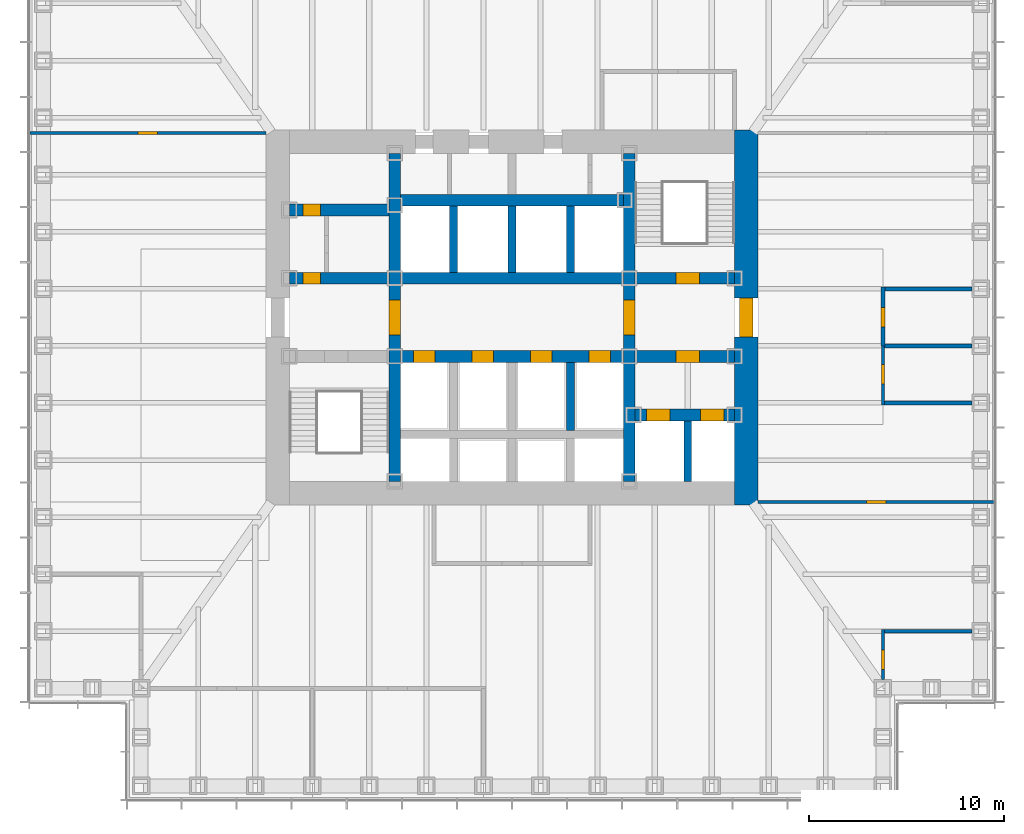
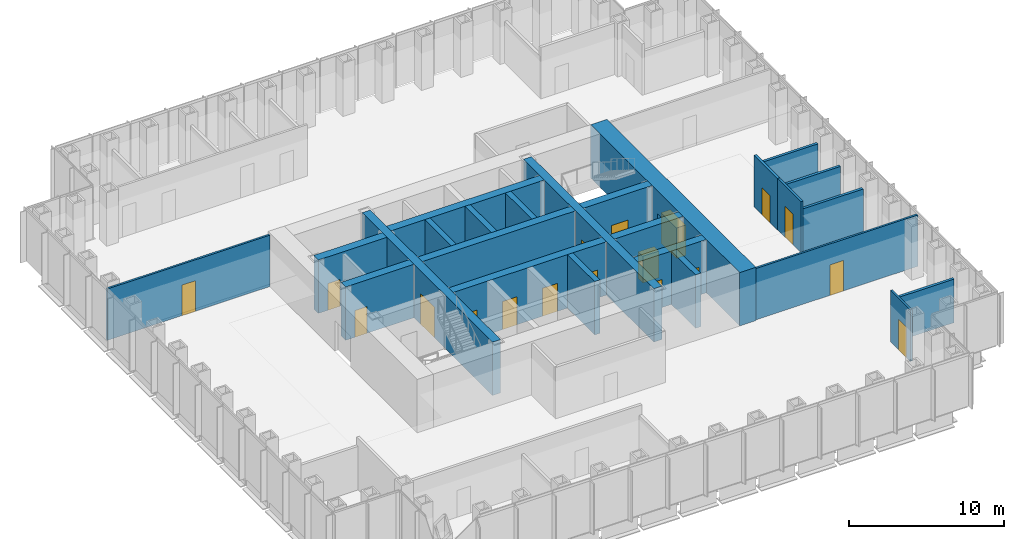
# One storey, part 9 of 16: 25 walls, 18 doors, 18 openings.
"""IFC4 building model written with IfcOpenShell, lengths in metres."""

import ifcopenshell
import ifcopenshell.guid

model = None  # the IFC model being written
_history = None  # IfcOwnerHistory: only IFC2X3 demands one
_inside = {}  # id of a spatial element -> (the spatial element, [elements in it])
_under = {}  # id of a project, library or spatial element -> (it, [spatial elements below it])
_declared = {}  # id of a project -> (the project, [libraries it declares])
_typed = {}  # id of a type object -> (the type object, [elements of that type])
_made_of = {}  # id of a material, layer set ... -> (it, [elements and type objects made of it])


def new_model(schema):
    """Start an empty IFC model of exactly this schema.

    Asked for "IFC4X3", IfcOpenShell would pick the latest addendum, in which some entities
    have other attributes; the version numbers below select the first issue.
    IFC2X3 requires an IfcOwnerHistory on every rooted entity: one is made here for all.
    """
    global model, _history
    if schema == "IFC4X3":
        model = ifcopenshell.file(schema_version=(4, 3, 0, 0))
    else:
        model = ifcopenshell.file(schema=schema)
    _inside.clear()
    _under.clear()
    _declared.clear()
    _typed.clear()
    _made_of.clear()
    _history = None
    if model.schema == "IFC2X3":
        org = make("IfcOrganization", Name="unknown")
        user = make(
            "IfcPersonAndOrganization",
            ThePerson=make("IfcPerson", FamilyName="unknown"),
            TheOrganization=org,
        )
        app = make(
            "IfcApplication",
            ApplicationDeveloper=org,
            Version="unknown",
            ApplicationFullName="unknown",
            ApplicationIdentifier="unknown",
        )
        _history = make(
            "IfcOwnerHistory",
            OwningUser=user,
            OwningApplication=app,
            ChangeAction="ADDED",
            CreationDate=0,
        )
    return model


def make(cls, **values):
    """One entity of the class cls with the attributes given. An attribute that is None is left unset."""
    return model.create_entity(
        cls, **{name: value for name, value in values.items() if value is not None}
    )


def rooted(cls, **values):
    """An entity with a GlobalId (a new one), such as an element, a storey or a relation."""
    return make(cls, GlobalId=ifcopenshell.guid.new(), OwnerHistory=_history, **values)


def si_unit(unit_type, name, prefix=None):
    """IfcSIUnit, for example si_unit("LENGTHUNIT", "METRE", prefix="MILLI")."""
    return make("IfcSIUnit", UnitType=unit_type, Prefix=prefix, Name=name)


def assignment(units):
    """IfcUnitAssignment: the units of a project."""
    return None if units is None else make("IfcUnitAssignment", Units=units)


def point(xyz):
    """IfcCartesianPoint."""
    return None if xyz is None else make("IfcCartesianPoint", Coordinates=xyz)


def direction(xyz):
    """IfcDirection."""
    return None if xyz is None else make("IfcDirection", DirectionRatios=xyz)


def frame(location, z_axis=None, x_axis=None):
    """IfcAxis2Placement3D, a coordinate frame: its origin and axes. An axis left out is left unset."""
    return make(
        "IfcAxis2Placement3D",
        Location=point(location),
        Axis=direction(z_axis),
        RefDirection=direction(x_axis),
    )


def frame_2d(location, x_axis=None):
    """IfcAxis2Placement2D, a coordinate frame in the plane: its origin and x axis."""
    return make(
        "IfcAxis2Placement2D", Location=point(location), RefDirection=direction(x_axis)
    )


def origin():
    """The frame at (0, 0, 0) with its axes left unset."""
    return frame((0.0, 0.0, 0.0))


def place(relative_to, where):
    """IfcLocalPlacement: puts the frame where relative to a parent placement (None: the world)."""
    return make(
        "IfcLocalPlacement", PlacementRelTo=relative_to, RelativePlacement=where
    )


def context(
    kind, dimensions, precision=None, world=None, true_north=None, identifier=None
):
    """IfcGeometricRepresentationContext, for example the 3D "Model" context."""
    return make(
        "IfcGeometricRepresentationContext",
        ContextIdentifier=identifier,
        ContextType=kind,
        CoordinateSpaceDimension=dimensions,
        Precision=precision,
        WorldCoordinateSystem=world,
        TrueNorth=true_north,
    )


def subcontext(parent, identifier, kind, view, scale=None):
    """IfcGeometricRepresentationSubContext, for example "Body" below "Model"."""
    return make(
        "IfcGeometricRepresentationSubContext",
        ContextIdentifier=identifier,
        ContextType=kind,
        ParentContext=parent,
        TargetScale=scale,
        TargetView=view,
    )


def project(units=None, contexts=None):
    """IfcProject with its units and contexts."""
    return rooted(
        "IfcProject",
        Name="project",
        RepresentationContexts=contexts,
        UnitsInContext=assignment(units),
    )


def spatial(cls, under=None, at=None, **own):
    """A site, building, storey or space (cls), placed at a placement, below another one or the project."""
    s = rooted(cls, ObjectPlacement=at, **own)
    if under is not None:
        _under.setdefault(under.id(), (under, []))[1].append(s)
    return s


def profile(cls, at=None, kind="AREA", **sizes):
    """A parametric profile (cls). Its sizes go by their IFC names, for example OverallWidth=200.0."""
    return make(cls, ProfileType=kind, Position=at, **sizes)


def rectangle(**sizes):
    """IfcRectangleProfileDef."""
    return profile("IfcRectangleProfileDef", **sizes)


def extrude(swept, where, along, depth):
    """IfcExtrudedAreaSolid: the profile swept, set in the frame where, extruded along a direction by depth."""
    return make(
        "IfcExtrudedAreaSolid",
        SweptArea=swept,
        Position=where,
        ExtrudedDirection=direction(along),
        Depth=depth,
    )


def shape(context_of_items, identifier, shape_type, items):
    """IfcShapeRepresentation: the items that make up one representation, for example the "Body"."""
    return make(
        "IfcShapeRepresentation",
        ContextOfItems=context_of_items,
        RepresentationIdentifier=identifier,
        RepresentationType=shape_type,
        Items=items,
    )


def material(Name=None, Category=None):
    """IfcMaterial."""
    return make("IfcMaterial", Name=Name, Category=Category)


def layer(
    of_material, thickness, ventilated=None, Name=None, Category=None, Priority=None
):
    """IfcMaterialLayer: one layer of a wall or slab, of a material (None: an air gap)."""
    return make(
        "IfcMaterialLayer",
        Material=of_material,
        LayerThickness=thickness,
        IsVentilated=ventilated,
        Name=Name,
        Category=Category,
        Priority=Priority,
    )


def layer_set(layers, Name=None):
    """IfcMaterialLayerSet."""
    return make("IfcMaterialLayerSet", MaterialLayers=layers, LayerSetName=Name)


def made_of(thing, what):
    """Note that an element or type object is made of a material, layer set ...; save() writes the relation."""
    if what is not None:
        _made_of.setdefault(what.id(), (what, []))[1].append(thing)
    return thing


def type_object(cls, material=None, **own):
    """A type object (cls), such as IfcWallType, which elements share."""
    return made_of(rooted(cls, **own), material)


def element(
    cls,
    number,
    at=None,
    inside=None,
    cuts=None,
    type_object=None,
    material=None,
    context=None,
    identifier="Body",
    shape_type=None,
    held_by="IfcProductDefinitionShape",
    body=None,
    shapes=None,
    **own,
):
    """One element of the class cls, such as IfcWall. Its Tag is "e" and its number.

    at: its placement. inside: the storey or other place that contains it. cuts: it is an
    opening in that element (IfcRelVoidsElement). A single representation is given by context,
    identifier, shape_type and body (its items); several are given by shapes. held_by: the class
    of the entity that holds the representations. save() writes the other relations.
    """
    e = rooted(cls, Tag="e%d" % number, ObjectPlacement=at, **own)
    if body is not None:
        shapes = [shape(context, identifier, shape_type, body)]
    if shapes is not None:
        e.Representation = make(held_by, Representations=shapes)
    if inside is not None:
        _inside.setdefault(inside.id(), (inside, []))[1].append(e)
    if cuts is not None:
        rooted(
            "IfcRelVoidsElement", RelatingBuildingElement=cuts, RelatedOpeningElement=e
        )
    if type_object is not None:
        _typed.setdefault(type_object.id(), (type_object, []))[1].append(e)
    return made_of(e, material)


def fill(opening, filler):
    """IfcRelFillsElement: the door or window that sits in an opening."""
    return rooted(
        "IfcRelFillsElement",
        RelatingOpeningElement=opening,
        RelatedBuildingElement=filler,
    )


def aggregate(whole, parts):
    """IfcRelAggregates: a whole, such as a stair, and the parts it consists of."""
    return rooted("IfcRelAggregates", RelatingObject=whole, RelatedObjects=parts)


def save(model, path):
    """Write the relations noted so far, then the file.

    IfcRelAggregates (storeys below a building ...), IfcRelContainedInSpatialStructure (elements
    in a storey), IfcRelDefinesByType, IfcRelAssociatesMaterial and IfcRelDeclares: one each for
    every whole, place, type object, material and project.
    """
    for whole, parts in _under.values():
        aggregate(whole, parts)
    for where, things in _inside.values():
        rooted(
            "IfcRelContainedInSpatialStructure",
            RelatedElements=things,
            RelatingStructure=where,
        )
    for kind, things in _typed.values():
        rooted("IfcRelDefinesByType", RelatedObjects=things, RelatingType=kind)
    for what, things in _made_of.values():
        rooted("IfcRelAssociatesMaterial", RelatedObjects=things, RelatingMaterial=what)
    for by, libraries in _declared.values():
        rooted("IfcRelDeclares", RelatingContext=by, RelatedDefinitions=libraries)
    model.write(path)


model = new_model("IFC4")

# Units and contexts
model_context = context("Model", 3, precision=1e-05, world=origin(), true_north=direction((0.0, 1.0)))
body_context = subcontext(model_context, "Body", "Model", "MODEL_VIEW")
ifc_project = project(units=[si_unit("LENGTHUNIT", "METRE"), si_unit("AREAUNIT", "SQUARE_METRE"), si_unit("VOLUMEUNIT", "CUBIC_METRE"), si_unit("PLANEANGLEUNIT", "RADIAN"), si_unit("MASSUNIT", "GRAM", prefix="KILO")], contexts=[model_context])

# Site, building, storey
site_placement = place(None, origin())
site = spatial("IfcSite", under=ifc_project, at=site_placement, CompositionType="ELEMENT")
building_placement = place(site_placement, origin())
building = spatial("IfcBuilding", under=site, at=building_placement, Name="Daluyong Arena Tower", CompositionType="ELEMENT")
storey_placement = place(building_placement, frame((0.0, 0.0, 68.5)))
storey = spatial("IfcBuildingStorey", under=building, at=storey_placement, Name="L14", CompositionType="ELEMENT", Elevation=68.5)

# Wall, opening, door
ifc_material_1 = material(Name="Concrete fc' 60 MPa", Category="concrete")
ifc_layer_1 = layer(ifc_material_1, 0.60009765625)
ifc_layer_set_1 = layer_set([ifc_layer_1], Name="Concrete fc' 60 MPa")
wall_type_1 = type_object("IfcWallType", Name="Core inner wall 600", PredefinedType="SHEAR", material=ifc_layer_set_1)
wall_1_placement = place(storey_placement, frame((50.0, 71.60009765625, 0.0), z_axis=(0.0, 0.0, 1.0), x_axis=(0.0, 1.0, 0.0)))
wall_1 = element("IfcWall", 1, at=wall_1_placement, inside=storey, type_object=wall_type_1, Name="core inner wall at L14", PredefinedType="SHEAR", context=body_context, shape_type="SweptSolid", body=[
    extrude(rectangle(XDim=16.7998046875, YDim=0.60009765625, at=frame_2d((8.39990234375, 0.0))), origin(), (0.0, 0.0, 1.0), 4.199951171875),
])
opening_1_placement = place(wall_1_placement, frame((7.5, 0.0, 0.0)))
opening_1 = element("IfcOpeningElement", 2, at=opening_1_placement, cuts=wall_1, Name="Opening 14012", PredefinedType="OPENING", context=body_context, shape_type="SweptSolid", body=[
    extrude(rectangle(XDim=1.800048828125, YDim=2.39990234375, at=frame_2d((0.89990234375, 1.199951171875))), frame((0.0, 0.31005859375, 0.0), z_axis=(0.0, -1.0, 0.0), x_axis=(1.0, 0.0, 0.0)), (0.0, 0.0, 1.0), 0.6201171875),
])
ifc_material_2 = material(Name="Steel door, fire rated", Category="steel")
door_type_1 = type_object("IfcDoorType", Name="Lift lobby opening door 1800", OperationType="DOUBLE_DOOR_SINGLE_SWING", PredefinedType="DOOR", material=ifc_material_2)
door_1_placement = place(opening_1_placement, origin())
door_1 = element("IfcDoor", 3, at=door_1_placement, inside=storey, type_object=door_type_1, Name="lift lobby door west 14012", OperationType="DOUBLE_DOOR_SINGLE_SWING", OverallHeight=2.39990234375, OverallWidth=1.800048828125, PredefinedType="DOOR", context=body_context, shape_type="SweptSolid", body=[
    extrude(rectangle(XDim=1.800048828125, YDim=2.39990234375, at=frame_2d((0.89990234375, 1.199951171875))), frame((0.0, 0.2998046875, 0.0), z_axis=(0.0, -1.0, 0.0), x_axis=(1.0, 0.0, 0.0)), (0.0, 0.0, 1.0), 0.599609375),
])
fill(opening_1, door_1)

wall_2_placement = place(storey_placement, frame((62.0, 71.60009765625, 0.0), z_axis=(0.0, 0.0, 1.0), x_axis=(0.0, 1.0, 0.0)))
wall_2 = element("IfcWall", 4, at=wall_2_placement, inside=storey, type_object=wall_type_1, Name="core inner wall at L14", PredefinedType="SHEAR", context=body_context, shape_type="SweptSolid", body=[
    extrude(rectangle(XDim=16.7998046875, YDim=0.60009765625, at=frame_2d((8.39990234375, 0.0))), origin(), (0.0, 0.0, 1.0), 4.199951171875),
])
opening_2_placement = place(wall_2_placement, frame((7.5, 0.0, 0.0)))
opening_2 = element("IfcOpeningElement", 5, at=opening_2_placement, cuts=wall_2, Name="Opening 14013", PredefinedType="OPENING", context=body_context, shape_type="SweptSolid", body=[
    extrude(rectangle(XDim=1.800048828125, YDim=2.39990234375, at=frame_2d((0.89990234375, 1.199951171875))), frame((0.0, 0.31005859375, 0.0), z_axis=(0.0, -1.0, 0.0), x_axis=(1.0, 0.0, 0.0)), (0.0, 0.0, 1.0), 0.6201171875),
])
door_2_placement = place(opening_2_placement, origin())
door_2 = element("IfcDoor", 6, at=door_2_placement, inside=storey, type_object=door_type_1, Name="lift lobby door east 14013", OperationType="DOUBLE_DOOR_SINGLE_SWING", OverallHeight=2.39990234375, OverallWidth=1.800048828125, PredefinedType="DOOR", context=body_context, shape_type="SweptSolid", body=[
    extrude(rectangle(XDim=1.800048828125, YDim=2.39990234375, at=frame_2d((0.89990234375, 1.199951171875))), frame((0.0, 0.2998046875, 0.0), z_axis=(0.0, -1.0, 0.0), x_axis=(1.0, 0.0, 0.0)), (0.0, 0.0, 1.0), 0.599609375),
])
fill(opening_2, door_2)

wall_3_placement = place(storey_placement, frame((44.60009765625, 82.0, 0.0), z_axis=(0.0, 0.0, 1.0), x_axis=(1.0, 0.0, 0.0)))
wall_3 = element("IfcWall", 7, at=wall_3_placement, inside=storey, type_object=wall_type_1, Name="core inner wall at L14", PredefinedType="SHEAR", context=body_context, shape_type="SweptSolid", body=[
    extrude(rectangle(XDim=5.099853515625, YDim=0.60009765625, at=frame_2d((2.5498046875, 0.0))), origin(), (0.0, 0.0, 1.0), 4.199951171875),
])
opening_3_placement = place(wall_3_placement, frame((0.699951171875, 0.0, 0.0)))
opening_3 = element("IfcOpeningElement", 8, at=opening_3_placement, cuts=wall_3, Name="Opening 14001", PredefinedType="OPENING", context=body_context, shape_type="SweptSolid", body=[
    extrude(rectangle(XDim=0.89990234375, YDim=2.10009765625, at=frame_2d((0.449951171875, 1.050048828125))), frame((0.0, 0.31005859375, 0.0), z_axis=(0.0, -1.0, 0.0), x_axis=(1.0, 0.0, 0.0)), (0.0, 0.0, 1.0), 0.6201171875),
])
ifc_material_3 = material(Name="Steel door, fire rated", Category="steel")
door_type_2 = type_object("IfcDoorType", Name="Core room door 900", OperationType="SINGLE_SWING_LEFT", PredefinedType="DOOR", material=ifc_material_3)
door_3_placement = place(opening_3_placement, origin())
door_3 = element("IfcDoor", 9, at=door_3_placement, inside=storey, type_object=door_type_2, Name="toilet lobby door 14001", OperationType="SINGLE_SWING_LEFT", OverallHeight=2.10009765625, OverallWidth=0.89990234375, PredefinedType="DOOR", context=body_context, shape_type="SweptSolid", body=[
    extrude(rectangle(XDim=0.89990234375, YDim=2.10009765625, at=frame_2d((0.449951171875, 1.050048828125))), frame((0.0, 0.2998046875, 0.0), z_axis=(0.0, -1.0, 0.0), x_axis=(1.0, 0.0, 0.0)), (0.0, 0.0, 1.0), 0.599609375),
])
fill(opening_3, door_3)

wall_4_placement = place(storey_placement, frame((44.60009765625, 85.5, 0.0), z_axis=(0.0, 0.0, 1.0), x_axis=(1.0, 0.0, 0.0)))
wall_4 = element("IfcWall", 10, at=wall_4_placement, inside=storey, type_object=wall_type_1, Name="core inner wall at L14", PredefinedType="SHEAR", context=body_context, shape_type="SweptSolid", body=[
    extrude(rectangle(XDim=5.099853515625, YDim=0.60009765625, at=frame_2d((2.5498046875, 0.0))), origin(), (0.0, 0.0, 1.0), 4.199951171875),
])
opening_4_placement = place(wall_4_placement, frame((0.699951171875, 0.0, 0.0)))
opening_4 = element("IfcOpeningElement", 11, at=opening_4_placement, cuts=wall_4, Name="Opening 14003", PredefinedType="OPENING", context=body_context, shape_type="SweptSolid", body=[
    extrude(rectangle(XDim=0.89990234375, YDim=2.10009765625, at=frame_2d((0.449951171875, 1.050048828125))), frame((0.0, 0.31005859375, 0.0), z_axis=(0.0, -1.0, 0.0), x_axis=(1.0, 0.0, 0.0)), (0.0, 0.0, 1.0), 0.6201171875),
])
ifc_material_4 = material(Name="Timber door", Category="wood")
door_type_3 = type_object("IfcDoorType", Name="Toilet door 900", OperationType="SINGLE_SWING_RIGHT", PredefinedType="DOOR", material=ifc_material_4)
door_4_placement = place(opening_4_placement, origin())
door_4 = element("IfcDoor", 12, at=door_4_placement, inside=storey, type_object=door_type_3, Name="female toilet door 14003", OperationType="SINGLE_SWING_RIGHT", OverallHeight=2.10009765625, OverallWidth=0.89990234375, PredefinedType="DOOR", context=body_context, shape_type="SweptSolid", body=[
    extrude(rectangle(XDim=0.89990234375, YDim=2.10009765625, at=frame_2d((0.449951171875, 1.050048828125))), frame((0.0, 0.2998046875, 0.0), z_axis=(0.0, -1.0, 0.0), x_axis=(1.0, 0.0, 0.0)), (0.0, 0.0, 1.0), 0.599609375),
])
fill(opening_4, door_4)

# Wall, openings, doors
wall_5_placement = place(storey_placement, frame((62.300048828125, 75.0, 0.0), z_axis=(0.0, 0.0, 1.0), x_axis=(1.0, 0.0, 0.0)))
wall_5 = element("IfcWall", 13, at=wall_5_placement, inside=storey, type_object=wall_type_1, Name="core inner wall at L14", PredefinedType="SHEAR", context=body_context, shape_type="SweptSolid", body=[
    extrude(rectangle(XDim=5.099853515625, YDim=0.60009765625, at=frame_2d((2.5498046875, 0.0))), origin(), (0.0, 0.0, 1.0), 4.199951171875),
])
opening_5_placement = place(wall_5_placement, frame((0.60009765625, 0.0, 0.0)))
opening_5 = element("IfcOpeningElement", 14, at=opening_5_placement, cuts=wall_5, Name="Opening 14019", PredefinedType="OPENING", context=body_context, shape_type="SweptSolid", body=[
    extrude(rectangle(XDim=1.199951171875, YDim=2.199951171875, at=frame_2d((0.60009765625, 1.10009765625))), frame((0.0, 0.31005859375, 0.0), z_axis=(0.0, -1.0, 0.0), x_axis=(1.0, 0.0, 0.0)), (0.0, 0.0, 1.0), 0.6201171875),
])
opening_6_placement = place(wall_5_placement, frame((3.35009765625, 0.0, 0.0)))
opening_6 = element("IfcOpeningElement", 15, at=opening_6_placement, cuts=wall_5, Name="Opening 14020", PredefinedType="OPENING", context=body_context, shape_type="SweptSolid", body=[
    extrude(rectangle(XDim=1.199951171875, YDim=2.199951171875, at=frame_2d((0.60009765625, 1.10009765625))), frame((0.0, 0.31005859375, 0.0), z_axis=(0.0, -1.0, 0.0), x_axis=(1.0, 0.0, 0.0)), (0.0, 0.0, 1.0), 0.6201171875),
])
ifc_material_5 = material(Name="Steel door, fire rated", Category="steel")
door_type_4 = type_object("IfcDoorType", Name="Firefighting lift landing door 1200", OperationType="SLIDING_TO_LEFT", PredefinedType="DOOR", material=ifc_material_5)
door_5_placement = place(opening_5_placement, origin())
door_5 = element("IfcDoor", 16, at=door_5_placement, inside=storey, type_object=door_type_4, Name="firefighting lift landing door F1 14019", OperationType="SLIDING_TO_LEFT", OverallHeight=2.199951171875, OverallWidth=1.199951171875, PredefinedType="DOOR", context=body_context, shape_type="SweptSolid", body=[
    extrude(rectangle(XDim=1.199951171875, YDim=2.199951171875, at=frame_2d((0.60009765625, 1.10009765625))), frame((0.0, 0.2998046875, 0.0), z_axis=(0.0, -1.0, 0.0), x_axis=(1.0, 0.0, 0.0)), (0.0, 0.0, 1.0), 0.599609375),
])
fill(opening_5, door_5)
door_6_placement = place(opening_6_placement, origin())
door_6 = element("IfcDoor", 17, at=door_6_placement, inside=storey, type_object=door_type_4, Name="firefighting lift landing door F2 14020", OperationType="SLIDING_TO_LEFT", OverallHeight=2.199951171875, OverallWidth=1.199951171875, PredefinedType="DOOR", context=body_context, shape_type="SweptSolid", body=[
    extrude(rectangle(XDim=1.199951171875, YDim=2.199951171875, at=frame_2d((0.60009765625, 1.10009765625))), frame((0.0, 0.2998046875, 0.0), z_axis=(0.0, -1.0, 0.0), x_axis=(1.0, 0.0, 0.0)), (0.0, 0.0, 1.0), 0.599609375),
])
fill(opening_6, door_6)

# Wall, opening, door
wall_6_placement = place(storey_placement, frame((62.300048828125, 78.0, 0.0), z_axis=(0.0, 0.0, 1.0), x_axis=(1.0, 0.0, 0.0)))
wall_6 = element("IfcWall", 18, at=wall_6_placement, inside=storey, type_object=wall_type_1, Name="core inner wall at L14", PredefinedType="SHEAR", context=body_context, shape_type="SweptSolid", body=[
    extrude(rectangle(XDim=5.099853515625, YDim=0.60009765625, at=frame_2d((2.5498046875, 0.0))), origin(), (0.0, 0.0, 1.0), 4.199951171875),
])
opening_7_placement = place(wall_6_placement, frame((2.10009765625, 0.0, 0.0)))
opening_7 = element("IfcOpeningElement", 19, at=opening_7_placement, cuts=wall_6, Name="Opening 14014", PredefinedType="OPENING", context=body_context, shape_type="SweptSolid", body=[
    extrude(rectangle(XDim=1.199951171875, YDim=2.10009765625, at=frame_2d((0.60009765625, 1.050048828125))), frame((0.0, 0.31005859375, 0.0), z_axis=(0.0, -1.0, 0.0), x_axis=(1.0, 0.0, 0.0)), (0.0, 0.0, 1.0), 0.6201171875),
])
ifc_material_6 = material(Name="Steel door, fire rated", Category="steel")
door_type_5 = type_object("IfcDoorType", Name="Firefighting lobby door 1200", OperationType="SINGLE_SWING_RIGHT", PredefinedType="DOOR", material=ifc_material_6)
door_7_placement = place(opening_7_placement, origin())
door_7 = element("IfcDoor", 20, at=door_7_placement, inside=storey, type_object=door_type_5, Name="firefighting lobby door 14014", OperationType="SINGLE_SWING_RIGHT", OverallHeight=2.10009765625, OverallWidth=1.199951171875, PredefinedType="DOOR", context=body_context, shape_type="SweptSolid", body=[
    extrude(rectangle(XDim=1.199951171875, YDim=2.10009765625, at=frame_2d((0.60009765625, 1.050048828125))), frame((0.0, 0.2998046875, 0.0), z_axis=(0.0, -1.0, 0.0), x_axis=(1.0, 0.0, 0.0)), (0.0, 0.0, 1.0), 0.599609375),
])
fill(opening_7, door_7)

wall_7_placement = place(storey_placement, frame((62.300048828125, 82.0, 0.0), z_axis=(0.0, 0.0, 1.0), x_axis=(1.0, 0.0, 0.0)))
wall_7 = element("IfcWall", 21, at=wall_7_placement, inside=storey, type_object=wall_type_1, Name="core inner wall at L14", PredefinedType="SHEAR", context=body_context, shape_type="SweptSolid", body=[
    extrude(rectangle(XDim=5.099853515625, YDim=0.60009765625, at=frame_2d((2.5498046875, 0.0))), origin(), (0.0, 0.0, 1.0), 4.199951171875),
])
opening_8_placement = place(wall_7_placement, frame((2.10009765625, 0.0, 0.0)))
opening_8 = element("IfcOpeningElement", 22, at=opening_8_placement, cuts=wall_7, Name="Opening 14009", PredefinedType="OPENING", context=body_context, shape_type="SweptSolid", body=[
    extrude(rectangle(XDim=1.199951171875, YDim=2.10009765625, at=frame_2d((0.60009765625, 1.050048828125))), frame((0.0, 0.31005859375, 0.0), z_axis=(0.0, -1.0, 0.0), x_axis=(1.0, 0.0, 0.0)), (0.0, 0.0, 1.0), 0.6201171875),
])
ifc_material_7 = material(Name="Steel door, fire rated", Category="steel")
door_type_6 = type_object("IfcDoorType", Name="Stair door 1200", OperationType="SINGLE_SWING_LEFT", PredefinedType="DOOR", material=ifc_material_7)
door_8_placement = place(opening_8_placement, origin())
door_8 = element("IfcDoor", 23, at=door_8_placement, inside=storey, type_object=door_type_6, Name="stair B door 14009", OperationType="SINGLE_SWING_LEFT", OverallHeight=2.10009765625, OverallWidth=1.199951171875, PredefinedType="DOOR", context=body_context, shape_type="SweptSolid", body=[
    extrude(rectangle(XDim=1.199951171875, YDim=2.10009765625, at=frame_2d((0.60009765625, 1.050048828125))), frame((0.0, 0.2998046875, 0.0), z_axis=(0.0, -1.0, 0.0), x_axis=(1.0, 0.0, 0.0)), (0.0, 0.0, 1.0), 0.599609375),
])
fill(opening_8, door_8)

# Wall, openings, doors
wall_8_placement = place(storey_placement, frame((50.300048828125, 78.0, 0.0), z_axis=(0.0, 0.0, 1.0), x_axis=(1.0, 0.0, 0.0)))
wall_8 = element("IfcWall", 24, at=wall_8_placement, inside=storey, type_object=wall_type_1, Name="core inner wall at L14", PredefinedType="SHEAR", context=body_context, shape_type="SweptSolid", body=[
    extrude(rectangle(XDim=11.39990234375, YDim=0.60009765625, at=frame_2d((5.699951171875, 0.0))), origin(), (0.0, 0.0, 1.0), 4.199951171875),
])
opening_9_placement = place(wall_8_placement, frame((0.64990234375, 0.0, 0.0)))
opening_9 = element("IfcOpeningElement", 25, at=opening_9_placement, cuts=wall_8, Name="Opening 14015", PredefinedType="OPENING", context=body_context, shape_type="SweptSolid", body=[
    extrude(rectangle(XDim=1.10009765625, YDim=2.199951171875, at=frame_2d((0.550048828125, 1.10009765625))), frame((0.0, 0.31005859375, 0.0), z_axis=(0.0, -1.0, 0.0), x_axis=(1.0, 0.0, 0.0)), (0.0, 0.0, 1.0), 0.6201171875),
])
opening_10_placement = place(wall_8_placement, frame((3.64990234375, 0.0, 0.0)))
opening_10 = element("IfcOpeningElement", 26, at=opening_10_placement, cuts=wall_8, Name="Opening 14016", PredefinedType="OPENING", context=body_context, shape_type="SweptSolid", body=[
    extrude(rectangle(XDim=1.10009765625, YDim=2.199951171875, at=frame_2d((0.550048828125, 1.10009765625))), frame((0.0, 0.31005859375, 0.0), z_axis=(0.0, -1.0, 0.0), x_axis=(1.0, 0.0, 0.0)), (0.0, 0.0, 1.0), 0.6201171875),
])
opening_11_placement = place(wall_8_placement, frame((6.64990234375, 0.0, 0.0)))
opening_11 = element("IfcOpeningElement", 27, at=opening_11_placement, cuts=wall_8, Name="Opening 14017", PredefinedType="OPENING", context=body_context, shape_type="SweptSolid", body=[
    extrude(rectangle(XDim=1.10009765625, YDim=2.199951171875, at=frame_2d((0.550048828125, 1.10009765625))), frame((0.0, 0.31005859375, 0.0), z_axis=(0.0, -1.0, 0.0), x_axis=(1.0, 0.0, 0.0)), (0.0, 0.0, 1.0), 0.6201171875),
])
opening_12_placement = place(wall_8_placement, frame((9.64990234375, 0.0, 0.0)))
opening_12 = element("IfcOpeningElement", 28, at=opening_12_placement, cuts=wall_8, Name="Opening 14018", PredefinedType="OPENING", context=body_context, shape_type="SweptSolid", body=[
    extrude(rectangle(XDim=1.10009765625, YDim=2.199951171875, at=frame_2d((0.550048828125, 1.10009765625))), frame((0.0, 0.31005859375, 0.0), z_axis=(0.0, -1.0, 0.0), x_axis=(1.0, 0.0, 0.0)), (0.0, 0.0, 1.0), 0.6201171875),
])
ifc_material_8 = material(Name="Steel door, fire rated", Category="steel")
door_type_7 = type_object("IfcDoorType", Name="Lift landing door 1100", OperationType="SLIDING_TO_LEFT", PredefinedType="DOOR", material=ifc_material_8)
door_9_placement = place(opening_9_placement, origin())
door_9 = element("IfcDoor", 29, at=door_9_placement, inside=storey, type_object=door_type_7, Name="lift landing door A1 14015", OperationType="SLIDING_TO_LEFT", OverallHeight=2.199951171875, OverallWidth=1.10009765625, PredefinedType="DOOR", context=body_context, shape_type="SweptSolid", body=[
    extrude(rectangle(XDim=1.10009765625, YDim=2.199951171875, at=frame_2d((0.550048828125, 1.10009765625))), frame((0.0, 0.2998046875, 0.0), z_axis=(0.0, -1.0, 0.0), x_axis=(1.0, 0.0, 0.0)), (0.0, 0.0, 1.0), 0.599609375),
])
fill(opening_9, door_9)
door_10_placement = place(opening_10_placement, origin())
door_10 = element("IfcDoor", 30, at=door_10_placement, inside=storey, type_object=door_type_7, Name="lift landing door A2 14016", OperationType="SLIDING_TO_LEFT", OverallHeight=2.199951171875, OverallWidth=1.10009765625, PredefinedType="DOOR", context=body_context, shape_type="SweptSolid", body=[
    extrude(rectangle(XDim=1.10009765625, YDim=2.199951171875, at=frame_2d((0.550048828125, 1.10009765625))), frame((0.0, 0.2998046875, 0.0), z_axis=(0.0, -1.0, 0.0), x_axis=(1.0, 0.0, 0.0)), (0.0, 0.0, 1.0), 0.599609375),
])
fill(opening_10, door_10)
door_11_placement = place(opening_11_placement, origin())
door_11 = element("IfcDoor", 31, at=door_11_placement, inside=storey, type_object=door_type_7, Name="lift landing door A3 14017", OperationType="SLIDING_TO_LEFT", OverallHeight=2.199951171875, OverallWidth=1.10009765625, PredefinedType="DOOR", context=body_context, shape_type="SweptSolid", body=[
    extrude(rectangle(XDim=1.10009765625, YDim=2.199951171875, at=frame_2d((0.550048828125, 1.10009765625))), frame((0.0, 0.2998046875, 0.0), z_axis=(0.0, -1.0, 0.0), x_axis=(1.0, 0.0, 0.0)), (0.0, 0.0, 1.0), 0.599609375),
])
fill(opening_11, door_11)
door_12_placement = place(opening_12_placement, origin())
door_12 = element("IfcDoor", 32, at=door_12_placement, inside=storey, type_object=door_type_7, Name="lift landing door A4 14018", OperationType="SLIDING_TO_LEFT", OverallHeight=2.199951171875, OverallWidth=1.10009765625, PredefinedType="DOOR", context=body_context, shape_type="SweptSolid", body=[
    extrude(rectangle(XDim=1.10009765625, YDim=2.199951171875, at=frame_2d((0.550048828125, 1.10009765625))), frame((0.0, 0.2998046875, 0.0), z_axis=(0.0, -1.0, 0.0), x_axis=(1.0, 0.0, 0.0)), (0.0, 0.0, 1.0), 0.599609375),
])
fill(opening_12, door_12)

# Walls
for number, where, z_axis, x_axis, name in (
    (33, (50.300048828125, 82.0, 0.0), (0.0, 0.0, 1.0), (1.0, 0.0, 0.0), "core inner wall at L14"),
    (34, (50.300048828125, 86.0, 0.0), (0.0, 0.0, 1.0), (1.0, 0.0, 0.0), "core inner wall at L14"),
):
    element("IfcWall", number, at=place(storey_placement, frame(where, z_axis=z_axis, x_axis=x_axis)), inside=storey, type_object=wall_type_1, Name=name, PredefinedType="SHEAR", context=body_context, shape_type="SweptSolid", body=[
        extrude(rectangle(XDim=11.39990234375, YDim=0.60009765625, at=frame_2d((5.699951171875, 0.0))), origin(), (0.0, 0.0, 1.0), 4.199951171875),
    ])

# Wall, opening, door
ifc_material_9 = material(Name="Concrete fc' 60 MPa", Category="concrete")
ifc_layer_2 = layer(ifc_material_9, 1.199951171875)
ifc_layer_set_2 = layer_set([ifc_layer_2], Name="Concrete fc' 60 MPa")
wall_type_2 = type_object("IfcWallType", Name="Core wall 1200", PredefinedType="SHEAR", material=ifc_layer_set_2)
wall_9_placement = place(storey_placement, frame((68.0, 70.39990234375, 0.0), z_axis=(0.0, 0.0, 1.0), x_axis=(0.0, 1.0, 0.0)))
wall_9 = element("IfcWall", 35, at=wall_9_placement, inside=storey, type_object=wall_type_2, Name="core wall at L14", PredefinedType="SHEAR", context=body_context, shape_type="SweptSolid", body=[
    extrude(rectangle(XDim=19.2001953125, YDim=1.199951171875, at=frame_2d((9.60009765625, 0.0))), origin(), (0.0, 0.0, 1.0), 4.199951171875),
])
opening_13_placement = place(wall_9_placement, frame((8.60009765625, 0.0, 0.0)))
opening_13 = element("IfcOpeningElement", 36, at=opening_13_placement, cuts=wall_9, Name="Opening 14011", PredefinedType="OPENING", context=body_context, shape_type="SweptSolid", body=[
    extrude(rectangle(XDim=2.0, YDim=2.39990234375, at=frame_2d((1.0, 1.199951171875))), frame((0.0, 0.60986328125, 0.0), z_axis=(0.0, -1.0, 0.0), x_axis=(1.0, 0.0, 0.0)), (0.0, 0.0, 1.0), 1.219970703125),
])
ifc_material_10 = material(Name="Steel door, fire rated", Category="steel")
door_type_8 = type_object("IfcDoorType", Name="Core lobby double door 2000", OperationType="DOUBLE_DOOR_SINGLE_SWING", PredefinedType="DOOR", material=ifc_material_10)
door_13_placement = place(opening_13_placement, origin())
door_13 = element("IfcDoor", 37, at=door_13_placement, inside=storey, type_object=door_type_8, Name="core lobby door east 14011", OperationType="DOUBLE_DOOR_SINGLE_SWING", OverallHeight=2.39990234375, OverallWidth=2.0, PredefinedType="DOOR", context=body_context, shape_type="SweptSolid", body=[
    extrude(rectangle(XDim=2.0, YDim=2.39990234375, at=frame_2d((1.0, 1.199951171875))), frame((0.0, 0.35009765625, 0.0), z_axis=(0.0, -1.0, 0.0), x_axis=(1.0, 0.0, 0.0)), (0.0, 0.0, 1.0), 0.699951171875),
])
fill(opening_13, door_13)

ifc_material_11 = material(Name="Glazed aluminium partition", Category="aluminium")
ifc_layer_3 = layer(ifc_material_11, 0.14990234375)
ifc_layer_set_3 = layer_set([ifc_layer_3], Name="Glazed aluminium partition")
wall_type_3 = type_object("IfcWallType", Name="Glazed partition 150", PredefinedType="PARTITIONING", material=ifc_layer_set_3)
wall_10_placement = place(storey_placement, frame((68.60009765625, 70.550048828125, 0.0), z_axis=(0.0, 0.0, 1.0), x_axis=(1.0, 0.0, 0.0)))
wall_10 = element("IfcWall", 38, at=wall_10_placement, inside=storey, type_object=wall_type_3, Name="glazed partition at L14", PredefinedType="PARTITIONING", context=body_context, shape_type="SweptSolid", body=[
    extrude(rectangle(XDim=12.08984375, YDim=0.14990234375, at=frame_2d((6.044921875, 0.0))), origin(), (0.0, 0.0, 1.0), 4.0400390625),
])
opening_14_placement = place(wall_10_placement, frame((5.544921875, 0.0, 0.0)))
opening_14 = element("IfcOpeningElement", 39, at=opening_14_placement, cuts=wall_10, Name="Opening 14036", PredefinedType="OPENING", context=body_context, shape_type="SweptSolid", body=[
    extrude(rectangle(XDim=1.0, YDim=2.39990234375, at=frame_2d((0.5, 1.199951171875))), frame((0.0, 0.0849609375, 0.0), z_axis=(0.0, -1.0, 0.0), x_axis=(1.0, 0.0, 0.0)), (0.0, 0.0, 1.0), 0.169921875),
])
ifc_material_12 = material(Name="Glazed aluminium door", Category="aluminium")
door_type_9 = type_object("IfcDoorType", Name="Meeting room glazed door 1000", OperationType="SINGLE_SWING_RIGHT", PredefinedType="DOOR", material=ifc_material_12)
door_14_placement = place(opening_14_placement, origin())
door_14 = element("IfcDoor", 40, at=door_14_placement, inside=storey, type_object=door_type_9, Name="team area screen door 14036", OperationType="SINGLE_SWING_RIGHT", OverallHeight=2.39990234375, OverallWidth=1.0, PredefinedType="DOOR", context=body_context, shape_type="SweptSolid", body=[
    extrude(rectangle(XDim=1.0, YDim=2.39990234375, at=frame_2d((0.5, 1.199951171875))), frame((0.0, 0.07470703125, 0.0), z_axis=(0.0, -1.0, 0.0), x_axis=(1.0, 0.0, 0.0)), (0.0, 0.0, 1.0), 0.1494140625),
])
fill(opening_14, door_14)

wall_11_placement = place(storey_placement, frame((31.31005859375, 89.449951171875, 0.0), z_axis=(0.0, 0.0, 1.0), x_axis=(1.0, 0.0, 0.0)))
wall_11 = element("IfcWall", 41, at=wall_11_placement, inside=storey, type_object=wall_type_3, Name="glazed partition at L14", PredefinedType="PARTITIONING", context=body_context, shape_type="SweptSolid", body=[
    extrude(rectangle(XDim=12.08984375, YDim=0.14990234375, at=frame_2d((6.044921875, 0.0))), origin(), (0.0, 0.0, 1.0), 4.0400390625),
])
opening_15_placement = place(wall_11_placement, frame((5.544921875, 0.0, 0.0)))
opening_15 = element("IfcOpeningElement", 42, at=opening_15_placement, cuts=wall_11, Name="Opening 14035", PredefinedType="OPENING", context=body_context, shape_type="SweptSolid", body=[
    extrude(rectangle(XDim=1.0, YDim=2.39990234375, at=frame_2d((0.5, 1.199951171875))), frame((0.0, 0.0849609375, 0.0), z_axis=(0.0, -1.0, 0.0), x_axis=(1.0, 0.0, 0.0)), (0.0, 0.0, 1.0), 0.169921875),
])
door_15_placement = place(opening_15_placement, origin())
door_15 = element("IfcDoor", 43, at=door_15_placement, inside=storey, type_object=door_type_9, Name="team area screen door 14035", OperationType="SINGLE_SWING_RIGHT", OverallHeight=2.39990234375, OverallWidth=1.0, PredefinedType="DOOR", context=body_context, shape_type="SweptSolid", body=[
    extrude(rectangle(XDim=1.0, YDim=2.39990234375, at=frame_2d((0.5, 1.199951171875))), frame((0.0, 0.07470703125, 0.0), z_axis=(0.0, -1.0, 0.0), x_axis=(1.0, 0.0, 0.0)), (0.0, 0.0, 1.0), 0.1494140625),
])
fill(opening_15, door_15)

wall_12_placement = place(storey_placement, frame((75.0, 61.449951171875, 0.0), z_axis=(0.0, 0.0, 1.0), x_axis=(0.0, 1.0, 0.0)))
wall_12 = element("IfcWall", 44, at=wall_12_placement, inside=storey, type_object=wall_type_3, Name="glazed partition at L14", PredefinedType="PARTITIONING", context=body_context, shape_type="SweptSolid", body=[
    extrude(rectangle(XDim=2.5732421875, YDim=0.14990234375, at=frame_2d((1.28662109375, 0.0))), origin(), (0.0, 0.0, 1.0), 4.0400390625),
])
opening_16_placement = place(wall_12_placement, frame((0.511474609375, 0.0, 0.0)))
opening_16 = element("IfcOpeningElement", 45, at=opening_16_placement, cuts=wall_12, Name="Opening 14023", PredefinedType="OPENING", context=body_context, shape_type="SweptSolid", body=[
    extrude(rectangle(XDim=1.0, YDim=2.39990234375, at=frame_2d((0.5, 1.199951171875))), frame((0.0, 0.0849609375, 0.0), z_axis=(0.0, -1.0, 0.0), x_axis=(1.0, 0.0, 0.0)), (0.0, 0.0, 1.0), 0.169921875),
])
door_16_placement = place(opening_16_placement, origin())
door_16 = element("IfcDoor", 46, at=door_16_placement, inside=storey, type_object=door_type_9, Name="meeting room door 14023", OperationType="SINGLE_SWING_RIGHT", OverallHeight=2.39990234375, OverallWidth=1.0, PredefinedType="DOOR", context=body_context, shape_type="SweptSolid", body=[
    extrude(rectangle(XDim=1.0, YDim=2.39990234375, at=frame_2d((0.5, 1.199951171875))), frame((0.0, 0.07470703125, 0.0), z_axis=(0.0, -1.0, 0.0), x_axis=(1.0, 0.0, 0.0)), (0.0, 0.0, 1.0), 0.1494140625),
])
fill(opening_16, door_16)

wall_13_placement = place(storey_placement, frame((75.0, 75.515380859375, 0.0), z_axis=(0.0, 0.0, 1.0), x_axis=(0.0, 1.0, 0.0)))
wall_13 = element("IfcWall", 47, at=wall_13_placement, inside=storey, type_object=wall_type_3, Name="glazed partition at L14", PredefinedType="PARTITIONING", context=body_context, shape_type="SweptSolid", body=[
    extrude(rectangle(XDim=3.023193359375, YDim=0.14990234375, at=frame_2d((1.51171875, 0.0))), origin(), (0.0, 0.0, 1.0), 4.0400390625),
])
opening_17_placement = place(wall_13_placement, frame((1.0615234375, 0.0, 0.0)))
opening_17 = element("IfcOpeningElement", 48, at=opening_17_placement, cuts=wall_13, Name="Opening 14024", PredefinedType="OPENING", context=body_context, shape_type="SweptSolid", body=[
    extrude(rectangle(XDim=1.0, YDim=2.39990234375, at=frame_2d((0.5, 1.199951171875))), frame((0.0, 0.0849609375, 0.0), z_axis=(0.0, -1.0, 0.0), x_axis=(1.0, 0.0, 0.0)), (0.0, 0.0, 1.0), 0.169921875),
])
door_17_placement = place(opening_17_placement, origin())
door_17 = element("IfcDoor", 49, at=door_17_placement, inside=storey, type_object=door_type_9, Name="focus room door 14024", OperationType="SINGLE_SWING_RIGHT", OverallHeight=2.39990234375, OverallWidth=1.0, PredefinedType="DOOR", context=body_context, shape_type="SweptSolid", body=[
    extrude(rectangle(XDim=1.0, YDim=2.39990234375, at=frame_2d((0.5, 1.199951171875))), frame((0.0, 0.07470703125, 0.0), z_axis=(0.0, -1.0, 0.0), x_axis=(1.0, 0.0, 0.0)), (0.0, 0.0, 1.0), 0.1494140625),
])
fill(opening_17, door_17)

# Walls
ifc_material_13 = material(Name="Concrete fc' 45 MPa", Category="concrete")
ifc_layer_4 = layer(ifc_material_13, 0.39990234375)
ifc_layer_set_4 = layer_set([ifc_layer_4], Name="Concrete fc' 45 MPa")
wall_type_4 = type_object("IfcWallType", Name="Lift shaft wall 400", PredefinedType="SHEAR", material=ifc_layer_set_4)
for number, where, z_axis, x_axis, name in (
    (50, (53.0, 82.300048828125, 0.0), (0.0, 0.0, 1.0), (0.0, 1.0, 0.0), "lift shaft wall at L14"),
    (51, (56.0, 82.300048828125, 0.0), (0.0, 0.0, 1.0), (0.0, 1.0, 0.0), "lift shaft wall at L14"),
):
    element("IfcWall", number, at=place(storey_placement, frame(where, z_axis=z_axis, x_axis=x_axis)), inside=storey, type_object=wall_type_4, Name=name, PredefinedType="SHEAR", context=body_context, shape_type="SweptSolid", body=[
        extrude(rectangle(XDim=3.39990234375, YDim=0.39990234375, at=frame_2d((1.699951171875, 0.0))), origin(), (0.0, 0.0, 1.0), 4.199951171875),
    ])
wall_14_placement = place(storey_placement, frame((59.0, 74.199951171875, 0.0), z_axis=(0.0, 0.0, 1.0), x_axis=(0.0, 1.0, 0.0)))
element("IfcWall", 52, at=wall_14_placement, inside=storey, type_object=wall_type_4, Name="lift shaft wall at L14", PredefinedType="SHEAR", context=body_context, shape_type="SweptSolid", body=[
    extrude(rectangle(XDim=3.5, YDim=0.39990234375, at=frame_2d((1.75, 0.0))), origin(), (0.0, 0.0, 1.0), 4.199951171875),
])
wall_15_placement = place(storey_placement, frame((59.0, 82.300048828125, 0.0), z_axis=(0.0, 0.0, 1.0), x_axis=(0.0, 1.0, 0.0)))
element("IfcWall", 53, at=wall_15_placement, inside=storey, type_object=wall_type_4, Name="lift shaft wall at L14", PredefinedType="SHEAR", context=body_context, shape_type="SweptSolid", body=[
    extrude(rectangle(XDim=3.39990234375, YDim=0.39990234375, at=frame_2d((1.699951171875, 0.0))), origin(), (0.0, 0.0, 1.0), 4.199951171875),
])
wall_16_placement = place(storey_placement, frame((65.0, 71.60009765625, 0.0), z_axis=(0.0, 0.0, 1.0), x_axis=(0.0, 1.0, 0.0)))
element("IfcWall", 54, at=wall_16_placement, inside=storey, type_object=wall_type_4, Name="lift shaft wall at L14", PredefinedType="SHEAR", context=body_context, shape_type="SweptSolid", body=[
    extrude(rectangle(XDim=3.099853515625, YDim=0.39990234375, at=frame_2d((1.5498046875, 0.0))), origin(), (0.0, 0.0, 1.0), 4.199951171875),
])
ifc_material_14 = material(Name="Concrete block partition", Category="concrete")
ifc_layer_5 = layer(ifc_material_14, 0.199951171875)
ifc_layer_set_5 = layer_set([ifc_layer_5], Name="Concrete block partition")
wall_type_5 = type_object("IfcWallType", Name="Partition 200", PredefinedType="PARTITIONING", material=ifc_layer_set_5)
for number, where, z_axis, x_axis, name in (
    (55, (75.0, 63.923095703125, 0.0), (0.0, 0.0, 1.0), (1.0, 0.0, 0.0), "partition at L14"),
    (56, (75.0, 75.615478515625, 0.0), (0.0, 0.0, 1.0), (1.0, 0.0, 0.0), "partition at L14"),
    (57, (75.0, 78.53857421875, 0.0), (0.0, 0.0, 1.0), (1.0, 0.0, 0.0), "partition at L14"),
    (58, (75.0, 81.46142578125, 0.0), (0.0, 0.0, 1.0), (1.0, 0.0, 0.0), "partition at L14"),
):
    element("IfcWall", number, at=place(storey_placement, frame(where, z_axis=z_axis, x_axis=x_axis)), inside=storey, type_object=wall_type_5, Name=name, PredefinedType="PARTITIONING", context=body_context, shape_type="SweptSolid", body=[
        extrude(rectangle(XDim=4.550048828125, YDim=0.199951171875, at=frame_2d((2.27490234375, 0.0))), origin(), (0.0, 0.0, 1.0), 3.427978515625),
    ])

# Wall, opening, door
wall_17_placement = place(storey_placement, frame((75.0, 78.53857421875, 0.0), z_axis=(0.0, 0.0, 1.0), x_axis=(0.0, 1.0, 0.0)))
wall_17 = element("IfcWall", 59, at=wall_17_placement, inside=storey, type_object=wall_type_5, Name="partition at L14", PredefinedType="PARTITIONING", context=body_context, shape_type="SweptSolid", body=[
    extrude(rectangle(XDim=3.02294921875, YDim=0.199951171875, at=frame_2d((1.511474609375, 0.0))), origin(), (0.0, 0.0, 1.0), 4.0400390625),
])
opening_18_placement = place(wall_17_placement, frame((0.96142578125, 0.0, 0.0)))
opening_18 = element("IfcOpeningElement", 60, at=opening_18_placement, cuts=wall_17, Name="Opening 14025", PredefinedType="OPENING", context=body_context, shape_type="SweptSolid", body=[
    extrude(rectangle(XDim=1.0, YDim=2.10009765625, at=frame_2d((0.5, 1.050048828125))), frame((0.0, 0.10986328125, 0.0), z_axis=(0.0, -1.0, 0.0), x_axis=(1.0, 0.0, 0.0)), (0.0, 0.0, 1.0), 0.219970703125),
])
ifc_material_15 = material(Name="Timber door", Category="wood")
door_type_10 = type_object("IfcDoorType", Name="Room door 1000", OperationType="SINGLE_SWING_LEFT", PredefinedType="DOOR", material=ifc_material_15)
door_18_placement = place(opening_18_placement, origin())
door_18 = element("IfcDoor", 61, at=door_18_placement, inside=storey, type_object=door_type_10, Name="wellness room door 14025", OperationType="SINGLE_SWING_LEFT", OverallHeight=2.10009765625, OverallWidth=1.0, PredefinedType="DOOR", context=body_context, shape_type="SweptSolid", body=[
    extrude(rectangle(XDim=1.0, YDim=2.10009765625, at=frame_2d((0.5, 1.050048828125))), frame((0.0, 0.099609375, 0.0), z_axis=(0.0, -1.0, 0.0), x_axis=(1.0, 0.0, 0.0)), (0.0, 0.0, 1.0), 0.199462890625),
])
fill(opening_18, door_18)

save(model, "model.ifc")
